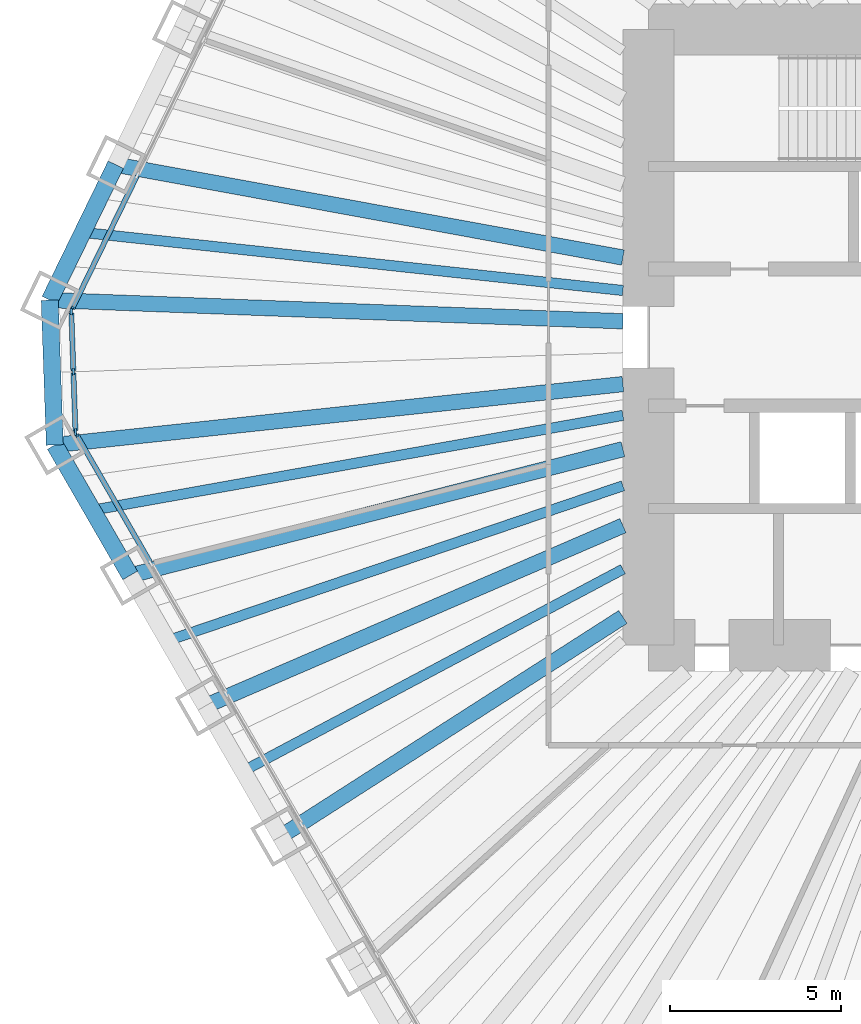
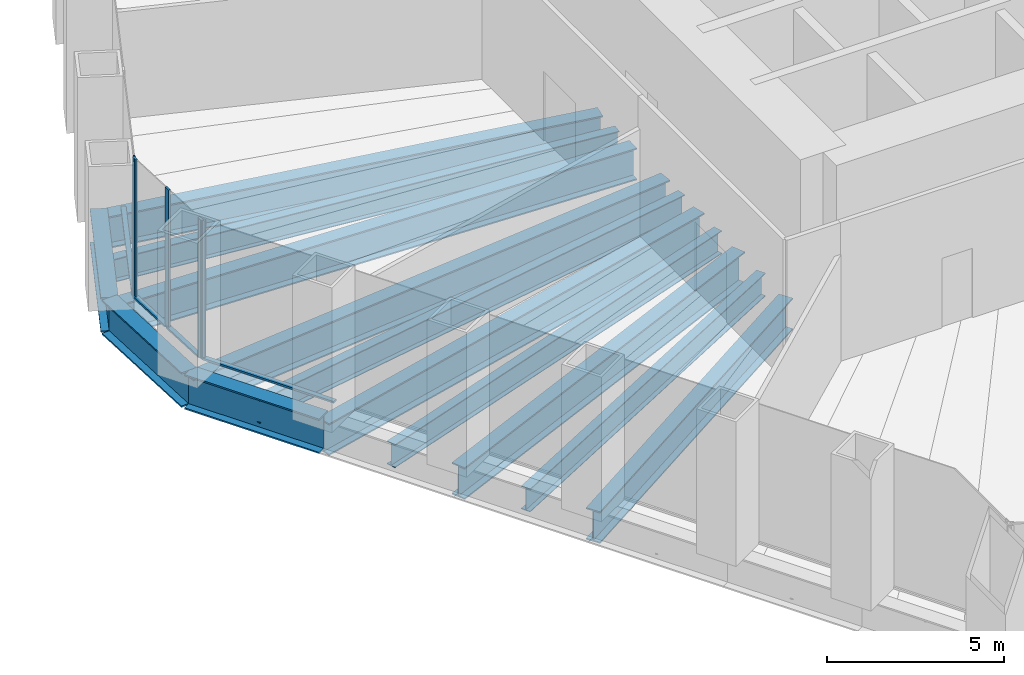
# One storey, part 3 of 14: 13 beams, 9 members, 3 elements without a shape of their own.
"""IFC4 building model written with IfcOpenShell, lengths in metres."""

from ifc_helpers import new_model, si_unit, direction, frame, origin, origin_2d, place, context, subcontext, project, spatial, rectangle, i_section, extrude, material, material_profile, profile_set, type_object, element, aggregate, save


model = new_model("IFC4")

# Units and contexts
model_context = context("Model", 3, precision=1e-05, world=origin(), true_north=direction((0.0, 1.0)))
body_context = subcontext(model_context, "Body", "Model", "MODEL_VIEW")
ifc_project = project(units=[si_unit("LENGTHUNIT", "METRE"), si_unit("AREAUNIT", "SQUARE_METRE"), si_unit("VOLUMEUNIT", "CUBIC_METRE"), si_unit("PLANEANGLEUNIT", "RADIAN"), si_unit("MASSUNIT", "GRAM", prefix="KILO")], contexts=[model_context])

# Site, building, storey
site_placement = place(None, origin())
site = spatial("IfcSite", under=ifc_project, at=site_placement, CompositionType="ELEMENT")
building_placement = place(site_placement, origin())
building = spatial("IfcBuilding", under=site, at=building_placement, Name="Qingtian Harvest Tower", CompositionType="ELEMENT")
storey_placement = place(building_placement, frame((0.0, 0.0, 82.0)))
storey = spatial("IfcBuildingStorey", under=building, at=storey_placement, Name="L16", CompositionType="ELEMENT", Elevation=82.0)

# Beams
ifc_material_1 = material(Name="Steel SM570MC", Category="steel")
ifc_material_profile_1 = material_profile(ifc_material_1, i_section(OverallWidth=0.449951171875, OverallDepth=1.10009765625, WebThickness=0.02197265625, FlangeThickness=0.044921875, at=origin_2d()), Name="H1100x450x22x45")
ifc_profile_set_1 = profile_set([ifc_material_profile_1], Name="Steel SM570MC")
beam_type_1 = type_object("IfcBeamType", Name="Corner floor beam FB8 H1100x450x22x45", PredefinedType="BEAM", material=ifc_profile_set_1)
beam_1_placement = place(storey_placement, frame((-29.36083984375, -3.145751953125, -0.75), z_axis=(0.994308822197, 0.106536219669, 0.0), x_axis=(-0.106536219669, 0.994308822197, 0.0)))
element("IfcBeam", 1, at=beam_1_placement, inside=storey, type_object=beam_type_1, Name="Floor beam FB8 SW6", PredefinedType="BEAM", context=body_context, shape_type="SweptSolid", body=[
    extrude(i_section(OverallWidth=0.449951171875, OverallDepth=1.10009765625, WebThickness=0.02197265625, FlangeThickness=0.044921875, at=origin_2d()), origin(), (0.0, 0.0, 1.0), 16.705810546875),
])
beam_2_placement = place(storey_placement, frame((-29.5087890625, 1.08984375, -0.75), z_axis=(0.999318796571, -0.036904509488, 0.0), x_axis=(0.036904509488, 0.999318796571, 0.0)))
element("IfcBeam", 2, at=beam_2_placement, inside=storey, type_object=beam_type_1, Name="Floor beam FB8 NW0", PredefinedType="BEAM", context=body_context, shape_type="SweptSolid", body=[
    extrude(i_section(OverallWidth=0.449951171875, OverallDepth=1.10009765625, WebThickness=0.02197265625, FlangeThickness=0.044921875, at=origin_2d()), origin(), (0.0, 0.0, 1.0), 16.770263671875),
])
ifc_material_2 = material(Name="Steel SM570MC", Category="steel")
ifc_material_profile_2 = material_profile(ifc_material_2, i_section(OverallWidth=0.449951171875, OverallDepth=1.10009765625, WebThickness=0.02197265625, FlangeThickness=0.044921875, at=origin_2d()), Name="H1100x450x22x45")
ifc_profile_set_2 = profile_set([ifc_material_profile_2], Name="Steel SM570MC")
beam_type_2 = type_object("IfcBeamType", Name="Floor beam FB1 H1100x450x22x45", PredefinedType="BEAM", material=ifc_profile_set_2)
beam_3_placement = place(storey_placement, frame((-22.75390625, -14.589111328125, -0.75), z_axis=(0.841829353865, 0.539743771591, 0.0), x_axis=(-0.539743771591, 0.841829353865, 0.0)))
element("IfcBeam", 3, at=beam_3_placement, inside=storey, type_object=beam_type_2, Name="Floor beam FB1 SW3", PredefinedType="BEAM", context=body_context, shape_type="SweptSolid", body=[
    extrude(i_section(OverallWidth=0.449951171875, OverallDepth=1.10009765625, WebThickness=0.02197265625, FlangeThickness=0.044921875, at=origin_2d()), origin(), (0.0, 0.0, 1.0), 11.883544921875),
])
beam_4_placement = place(storey_placement, frame((-24.9560546875, -10.774658203125, -0.75), z_axis=(0.918083617325, 0.396386770213, 0.0), x_axis=(-0.396386770213, 0.918083617325, 0.0)))
element("IfcBeam", 4, at=beam_4_placement, inside=storey, type_object=beam_type_2, Name="Floor beam FB1 SW4", PredefinedType="BEAM", context=body_context, shape_type="SweptSolid", body=[
    extrude(i_section(OverallWidth=0.449951171875, OverallDepth=1.10009765625, WebThickness=0.02197265625, FlangeThickness=0.044921875, at=origin_2d()), origin(), (0.0, 0.0, 1.0), 13.295166015625),
])
beam_5_placement = place(storey_placement, frame((-27.158447265625, -6.960205078125, -0.75), z_axis=(0.968693729942, 0.248258851947, 0.0), x_axis=(-0.248258851947, 0.968693729942, 0.0)))
element("IfcBeam", 5, at=beam_5_placement, inside=storey, type_object=beam_type_2, Name="Floor beam FB1 SW5", PredefinedType="BEAM", context=body_context, shape_type="SweptSolid", body=[
    extrude(i_section(OverallWidth=0.449951171875, OverallDepth=1.10009765625, WebThickness=0.02197265625, FlangeThickness=0.044921875, at=origin_2d()), origin(), (0.0, 0.0, 1.0), 14.8740234375),
])
beam_6_placement = place(storey_placement, frame((-27.577880859375, 5.048828125, -0.75), z_axis=(0.98365177106, -0.180081074215, 0.0), x_axis=(0.180081074215, 0.98365177106, 0.0)))
element("IfcBeam", 6, at=beam_6_placement, inside=storey, type_object=beam_type_2, Name="Floor beam FB1 NW1", PredefinedType="BEAM", context=body_context, shape_type="SweptSolid", body=[
    extrude(i_section(OverallWidth=0.449951171875, OverallDepth=1.10009765625, WebThickness=0.02197265625, FlangeThickness=0.044921875, at=origin_2d()), origin(), (0.0, 0.0, 1.0), 15.07421875),
])
ifc_material_3 = material(Name="Steel SN490B", Category="steel")
ifc_material_profile_3 = material_profile(ifc_material_3, i_section(OverallWidth=0.300048828125, OverallDepth=0.800048828125, WebThickness=0.013916015625, FlangeThickness=0.02587890625, at=origin_2d()), Name="H800x300x14x26")
ifc_profile_set_3 = profile_set([ifc_material_profile_3], Name="Steel SN490B")
beam_type_3 = type_object("IfcBeamType", Name="Floor joist J1 H800x300x14x26", PredefinedType="JOIST", material=ifc_profile_set_3)
beam_7_placement = place(storey_placement, frame((-23.85498046875, -12.681884765625, -0.60009765625), z_axis=(0.882982474604, 0.469405953885, 0.0), x_axis=(-0.469405953885, 0.882982474604, 0.0)))
element("IfcBeam", 7, at=beam_7_placement, inside=storey, type_object=beam_type_3, Name="Floor joist J1 SW3", PredefinedType="JOIST", context=body_context, shape_type="SweptSolid", body=[
    extrude(i_section(OverallWidth=0.300048828125, OverallDepth=0.800048828125, WebThickness=0.013916015625, FlangeThickness=0.02587890625, at=origin_2d()), origin(), (0.0, 0.0, 1.0), 12.57666015625),
])
beam_8_placement = place(storey_placement, frame((-26.057373046875, -8.867431640625, -0.60009765625), z_axis=(0.946684735425, 0.322161468387, 0.0), x_axis=(-0.322161468387, 0.946684735425, 0.0)))
element("IfcBeam", 8, at=beam_8_placement, inside=storey, type_object=beam_type_3, Name="Floor joist J1 SW4", PredefinedType="JOIST", context=body_context, shape_type="SweptSolid", body=[
    extrude(i_section(OverallWidth=0.300048828125, OverallDepth=0.800048828125, WebThickness=0.013916015625, FlangeThickness=0.02587890625, at=origin_2d()), origin(), (0.0, 0.0, 1.0), 14.056884765625),
])
beam_9_placement = place(storey_placement, frame((-28.259521484375, -5.052978515625, -0.60009765625), z_axis=(0.984387614034, 0.176014275943, 0.0), x_axis=(-0.176014275943, 0.984387614034, 0.0)))
element("IfcBeam", 9, at=beam_9_placement, inside=storey, type_object=beam_type_3, Name="Floor joist J1 SW5", PredefinedType="JOIST", context=body_context, shape_type="SweptSolid", body=[
    extrude(i_section(OverallWidth=0.300048828125, OverallDepth=0.800048828125, WebThickness=0.013916015625, FlangeThickness=0.02587890625, at=origin_2d()), origin(), (0.0, 0.0, 1.0), 15.755615234375),
])
beam_10_placement = place(storey_placement, frame((-28.543212890625, 3.0693359375, -0.60009765625), z_axis=(0.994268320665, -0.106913546948, 0.0), x_axis=(0.106913546948, 0.994268320665, 0.0)))
element("IfcBeam", 10, at=beam_10_placement, inside=storey, type_object=beam_type_3, Name="Floor joist J1 NW0", PredefinedType="JOIST", context=body_context, shape_type="SweptSolid", body=[
    extrude(i_section(OverallWidth=0.300048828125, OverallDepth=0.800048828125, WebThickness=0.013916015625, FlangeThickness=0.02587890625, at=origin_2d()), origin(), (0.0, 0.0, 1.0), 15.88427734375),
])

# Curtain wall, member
ifc_material_4 = material(Name="Bronze-anodised aluminium curtain wall", Category="aluminium")
curtain_wall_type = type_object("IfcCurtainWallType", Name="Curtain wall CW2 farm reception", PredefinedType="USERDEFINED", material=ifc_material_4)
curtain_wall_1_placement = place(storey_placement, origin())
curtain_wall_1 = element("IfcCurtainWall", 11, at=curtain_wall_1_placement, inside=storey, type_object=curtain_wall_type, Name="Curtain wall CW2 L16 SW0-5", ObjectType="RECESSED CURTAIN WALL", PredefinedType="USERDEFINED")
ifc_material_5 = material(Name="Bronze-anodised aluminium mullion", Category="aluminium")
ifc_material_profile_4 = material_profile(ifc_material_5, rectangle(XDim=0.06494140625, YDim=0.199951171875, at=origin_2d()), Name="AL 65x200")
ifc_profile_set_4 = profile_set([ifc_material_profile_4], Name="Bronze-anodised aluminium mullion")
member_type_1 = type_object("IfcMemberType", Name="Mullion CWM 65x200", PredefinedType="MULLION", material=ifc_profile_set_4)
member_1_placement = place(storey_placement, frame((-28.73828125, -2.82373046875, 0.0), z_axis=(0.0, 0.0, 1.0), x_axis=(-0.866025403784, -0.5, 0.0)))
member_1 = element("IfcMember", 12, at=member_1_placement, type_object=member_type_1, Name="CW2 mullion 7", PredefinedType="MULLION", context=body_context, shape_type="SweptSolid", body=[
    extrude(rectangle(XDim=0.06494140625, YDim=0.199951171875, at=origin_2d()), origin(), (0.0, 0.0, 1.0), 4.800048828125),
])

# Curtain wall, members
curtain_wall_2_placement = place(storey_placement, origin())
curtain_wall_2 = element("IfcCurtainWall", 13, at=curtain_wall_2_placement, inside=storey, type_object=curtain_wall_type, Name="Curtain wall CW2 L16 SWC", ObjectType="RECESSED CURTAIN WALL", PredefinedType="USERDEFINED")
member_2_placement = place(storey_placement, frame((-28.755615234375, -2.76318359375, 0.0), z_axis=(0.0, 0.0, 1.0), x_axis=(-0.999390827019, -0.034899496703, 0.0)))
member_2 = element("IfcMember", 14, at=member_2_placement, type_object=member_type_1, Name="CW2 mullion 1", PredefinedType="MULLION", context=body_context, shape_type="SweptSolid", body=[
    extrude(rectangle(XDim=0.06494140625, YDim=0.199951171875, at=origin_2d()), origin(), (0.0, 0.0, 1.0), 4.800048828125),
])
member_3_placement = place(storey_placement, frame((-28.817138671875, -1.00634765625, 0.0), z_axis=(0.0, 0.0, 1.0), x_axis=(-0.999390827019, -0.034899496703, 0.0)))
member_3 = element("IfcMember", 15, at=member_3_placement, type_object=member_type_1, Name="CW2 mullion 2", PredefinedType="MULLION", context=body_context, shape_type="SweptSolid", body=[
    extrude(rectangle(XDim=0.06494140625, YDim=0.199951171875, at=origin_2d()), origin(), (0.0, 0.0, 1.0), 4.800048828125),
])
member_4_placement = place(storey_placement, frame((-28.87841796875, 0.75048828125, 0.0), z_axis=(0.0, 0.0, 1.0), x_axis=(-0.999390827019, -0.034899496703, 0.0)))
member_4 = element("IfcMember", 16, at=member_4_placement, type_object=member_type_1, Name="CW2 mullion 3", PredefinedType="MULLION", context=body_context, shape_type="SweptSolid", body=[
    extrude(rectangle(XDim=0.06494140625, YDim=0.199951171875, at=origin_2d()), origin(), (0.0, 0.0, 1.0), 4.800048828125),
])

# Curtain wall, member
curtain_wall_3_placement = place(storey_placement, origin())
curtain_wall_3 = element("IfcCurtainWall", 17, at=curtain_wall_3_placement, inside=storey, type_object=curtain_wall_type, Name="Curtain wall CW2 L16 NW0-5", ObjectType="RECESSED CURTAIN WALL", PredefinedType="USERDEFINED")
member_5_placement = place(storey_placement, frame((-28.865234375, 0.812255859375, 0.0), z_axis=(0.0, 0.0, 1.0), x_axis=(-0.898794046299, 0.438371146789, 0.0)))
member_5 = element("IfcMember", 18, at=member_5_placement, type_object=member_type_1, Name="CW2 mullion 1", PredefinedType="MULLION", context=body_context, shape_type="SweptSolid", body=[
    extrude(rectangle(XDim=0.06494140625, YDim=0.199951171875, at=origin_2d()), origin(), (0.0, 0.0, 1.0), 4.800048828125),
])

# Beams
ifc_material_6 = material(Name="Steel SM570MC", Category="steel")
ifc_material_profile_5 = material_profile(ifc_material_6, i_section(OverallWidth=0.5, OverallDepth=1.199951171875, WebThickness=0.02490234375, FlangeThickness=0.050048828125, at=origin_2d()), Name="H1200x500x25x50")
ifc_profile_set_5 = profile_set([ifc_material_profile_5], Name="Steel SM570MC")
beam_type_4 = type_object("IfcBeamType", Name="Spandrel beam SB1 H1200x500x25x50", PredefinedType="SPANDREL", material=ifc_profile_set_5)
beam_11_placement = place(storey_placement, frame((-27.158447265625, -6.960205078125, -0.60009765625), z_axis=(-0.50001992892, 0.866013897511, 0.0), x_axis=(-0.866013897511, -0.50001992892, 0.0)))
element("IfcBeam", 19, at=beam_11_placement, inside=storey, type_object=beam_type_4, Name="Spandrel SB1 SW5", PredefinedType="SPANDREL", context=body_context, shape_type="SweptSolid", body=[
    extrude(i_section(OverallWidth=0.5, OverallDepth=1.199951171875, WebThickness=0.02490234375, FlangeThickness=0.050048828125, at=origin_2d()), origin(), (0.0, 0.0, 1.0), 4.404541015625),
])
beam_12_placement = place(storey_placement, frame((-29.36083984375, -3.145751953125, -0.60009765625), z_axis=(-0.034908677553, 0.999390506375, 0.0), x_axis=(-0.999390506375, -0.034908677553, 0.0)))
element("IfcBeam", 20, at=beam_12_placement, inside=storey, type_object=beam_type_4, Name="Spandrel SB1 SWC", PredefinedType="SPANDREL", context=body_context, shape_type="SweptSolid", body=[
    extrude(i_section(OverallWidth=0.5, OverallDepth=1.199951171875, WebThickness=0.02490234375, FlangeThickness=0.050048828125, at=origin_2d()), origin(), (0.0, 0.0, 1.0), 4.23828125),
])
beam_13_placement = place(storey_placement, frame((-29.5087890625, 1.08984375, -0.60009765625), z_axis=(0.438367938366, 0.898795611145, 0.0), x_axis=(-0.898795611145, 0.438367938366, 0.0)))
element("IfcBeam", 21, at=beam_13_placement, inside=storey, type_object=beam_type_4, Name="Spandrel SB1 NW0", PredefinedType="SPANDREL", context=body_context, shape_type="SweptSolid", body=[
    extrude(i_section(OverallWidth=0.5, OverallDepth=1.199951171875, WebThickness=0.02490234375, FlangeThickness=0.050048828125, at=origin_2d()), origin(), (0.0, 0.0, 1.0), 4.40478515625),
])

# Member
ifc_material_7 = material(Name="Bronze-anodised aluminium transom", Category="aluminium")
ifc_material_profile_6 = material_profile(ifc_material_7, rectangle(XDim=0.14990234375, YDim=0.06494140625, at=origin_2d()), Name="AL 65x150")
ifc_profile_set_6 = profile_set([ifc_material_profile_6], Name="Bronze-anodised aluminium transom")
member_type_2 = type_object("IfcMemberType", Name="Transom CWT 65x150", PredefinedType="USERDEFINED", material=ifc_profile_set_6)
member_6_placement = place(storey_placement, frame((-26.568603515625, -6.58203125, 0.032470703125), z_axis=(-0.499967798808, 0.866043994353, 0.0), x_axis=(-0.866043994353, -0.499967798808, 0.0)))
member_6 = element("IfcMember", 22, at=member_6_placement, type_object=member_type_2, Name="CW2 transom 6.1", ObjectType="TRANSOM", PredefinedType="USERDEFINED", context=body_context, shape_type="SweptSolid", body=[
    extrude(rectangle(XDim=0.14990234375, YDim=0.06494140625, at=origin_2d()), origin(), (0.0, 0.0, 1.0), 4.306884765625),
])

aggregate(curtain_wall_1, [member_1, member_6])

member_7_placement = place(storey_placement, frame((-28.7568359375, -2.730712890625, 0.032470703125), z_axis=(-0.034899362377, 0.99939083171, 0.0), x_axis=(-0.99939083171, -0.034899362377, 0.0)))
member_7 = element("IfcMember", 23, at=member_7_placement, type_object=member_type_2, Name="CW2 transom 1.1", ObjectType="TRANSOM", PredefinedType="USERDEFINED", context=body_context, shape_type="SweptSolid", body=[
    extrude(rectangle(XDim=0.14990234375, YDim=0.06494140625, at=origin_2d()), origin(), (0.0, 0.0, 1.0), 1.69287109375),
])

member_8_placement = place(storey_placement, frame((-28.818115234375, -0.973876953125, 0.032470703125), z_axis=(-0.034899362377, 0.99939083171, 0.0), x_axis=(-0.99939083171, -0.034899362377, 0.0)))
member_8 = element("IfcMember", 24, at=member_8_placement, type_object=member_type_2, Name="CW2 transom 2.1", ObjectType="TRANSOM", PredefinedType="USERDEFINED", context=body_context, shape_type="SweptSolid", body=[
    extrude(rectangle(XDim=0.14990234375, YDim=0.06494140625, at=origin_2d()), origin(), (0.0, 0.0, 1.0), 1.69287109375),
])

aggregate(curtain_wall_2, [member_2, member_3, member_4, member_7, member_8])

member_9_placement = place(storey_placement, frame((-28.85107421875, 0.841552734375, 0.032470703125), z_axis=(0.438394595167, 0.898782609383, 0.0), x_axis=(-0.898782609383, 0.438394595167, 0.0)))
member_9 = element("IfcMember", 25, at=member_9_placement, type_object=member_type_2, Name="CW2 transom 1.1", ObjectType="TRANSOM", PredefinedType="USERDEFINED", context=body_context, shape_type="SweptSolid", body=[
    extrude(rectangle(XDim=0.14990234375, YDim=0.06494140625, at=origin_2d()), origin(), (0.0, 0.0, 1.0), 4.30712890625),
])

aggregate(curtain_wall_3, [member_5, member_9])

save(model, "model.ifc")
